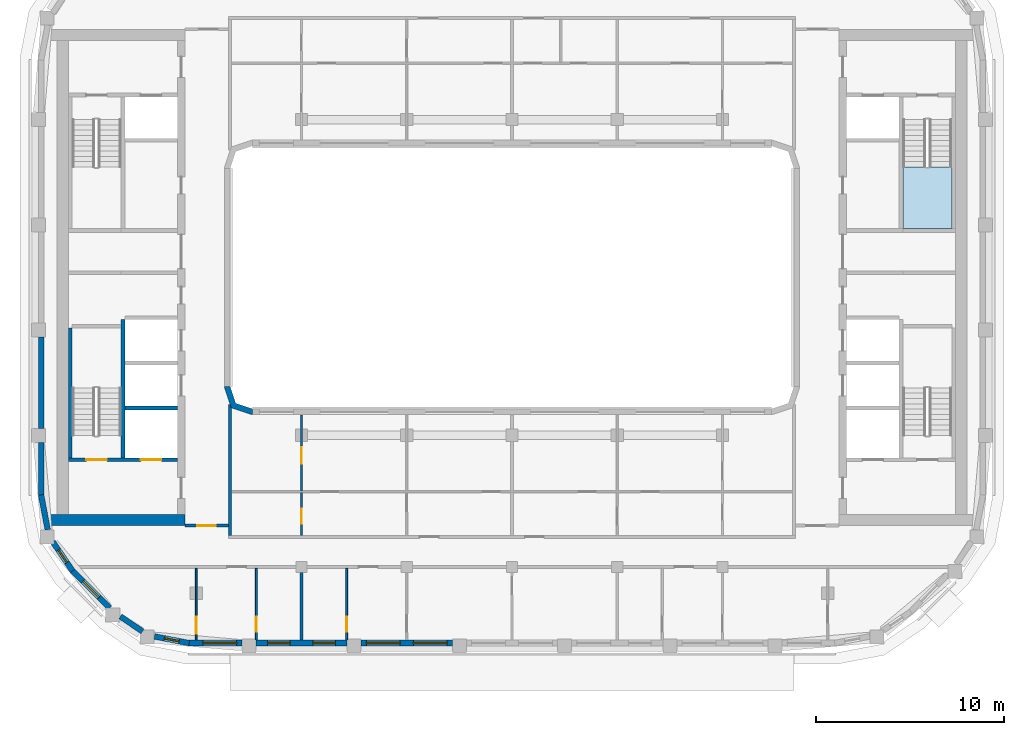
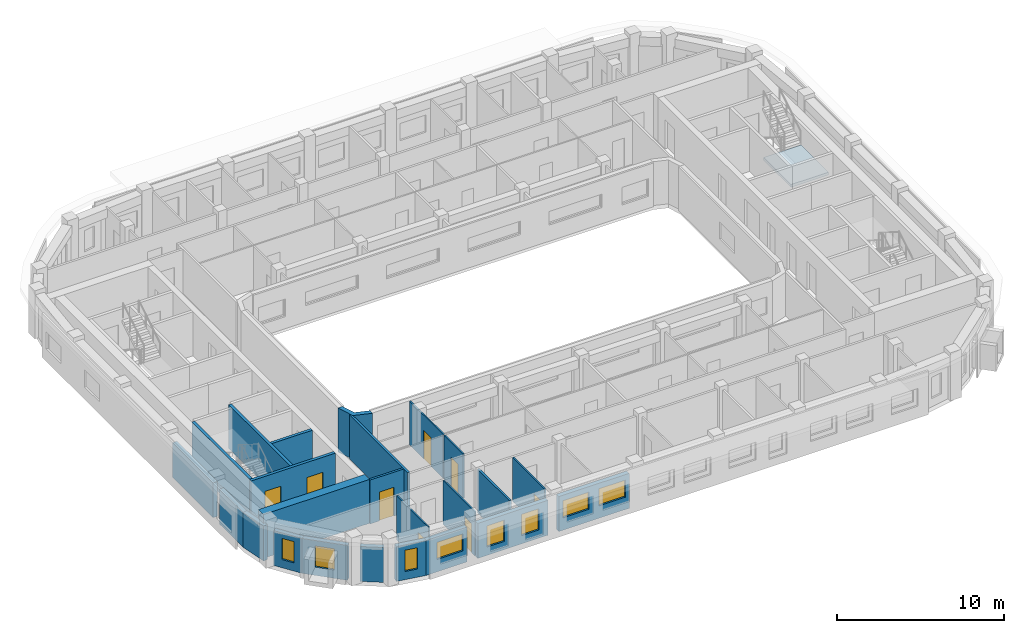
# One storey, part 2 of 16: 24 walls, 8 doors, 8 windows, 1 slab, 16 openings, 1 element without a shape of its own.
"""IFC4 building model written with IfcOpenShell, lengths in metres."""

from ifc_helpers import new_model, si_unit, direction, frame, frame_2d, origin, place, context, subcontext, project, spatial, polyline, rectangle, outline, extrude, material, layer, layer_set, type_object, element, fill, aggregate, save


model = new_model("IFC4")

# Units and contexts
model_context = context("Model", 3, precision=1e-05, world=origin(), true_north=direction((0.0, 1.0)))
body_context = subcontext(model_context, "Body", "Model", "MODEL_VIEW")
ifc_project = project(units=[si_unit("LENGTHUNIT", "METRE"), si_unit("AREAUNIT", "SQUARE_METRE"), si_unit("VOLUMEUNIT", "CUBIC_METRE"), si_unit("PLANEANGLEUNIT", "RADIAN"), si_unit("MASSUNIT", "GRAM", prefix="KILO")], contexts=[model_context])

# Site, building, storey
site_placement = place(None, origin())
site = spatial("IfcSite", under=ifc_project, at=site_placement, CompositionType="ELEMENT")
building_placement = place(site_placement, origin())
building = spatial("IfcBuilding", under=site, at=building_placement, Name="Kiln Ring Residences", CompositionType="ELEMENT")
storey_placement = place(building_placement, frame((0.0, 0.0, 269.699951171875)))
storey = spatial("IfcBuildingStorey", under=building, at=storey_placement, Name="L70", CompositionType="ELEMENT", Elevation=269.699951171875)

# Stair, slab
ifc_material_1 = material(Name="Concrete C40/50", Category="concrete")
stair_type = type_object("IfcStairType", Name="CORE-STAIR", PredefinedType="HALF_TURN_STAIR", material=ifc_material_1)
placement = place(storey_placement, origin())
stair = element("IfcStair", 1, at=placement, inside=storey, type_object=stair_type, Name="L70 stair E-STN", PredefinedType="HALF_TURN_STAIR")
ifc_material_2 = material(Name="Concrete C40/50", Category="concrete")
ifc_layer_1 = layer(ifc_material_2, 0.199951171875)
ifc_layer_set_1 = layer_set([ifc_layer_1], Name="CORE-STAIR-LANDING")
slab_type = type_object("IfcSlabType", Name="CORE-STAIR-LANDING", PredefinedType="LANDING", material=ifc_layer_set_1)
slab_placement = place(storey_placement, frame((0.0, 0.0, 1.550048828125)))
slab = element("IfcSlab", 2, at=slab_placement, type_object=slab_type, Name="E-STN landing 1", PredefinedType="LANDING", context=body_context, shape_type="SweptSolid", body=[
    extrude(outline(polyline([(20.800048828125, 5.8798828125), (20.800048828125, 2.60009765625), (23.39990234375, 2.60009765625), (23.39990234375, 5.8798828125), (20.800048828125, 5.8798828125)])), origin(), (0.0, 0.0, 1.0), 0.199951171875),
])
aggregate(stair, [slab])

# Walls
ifc_material_3 = material(Name="Gypsum shaft wall system")
ifc_layer_2 = layer(ifc_material_3, 0.199951171875)
ifc_layer_set_2 = layer_set([ifc_layer_2], Name="CORE-SHAFT-WALL-200")
wall_type_1 = type_object("IfcWallType", Name="CORE-SHAFT-WALL-200", PredefinedType="PARTITIONING", material=ifc_layer_set_2)
wall_1_placement = place(storey_placement, frame((-17.800048828125, -6.949951171875, 0.0), z_axis=(0.0, 0.0, 1.0), x_axis=(-1.0, 0.0, 0.0)))
element("IfcWall", 3, at=wall_1_placement, inside=storey, type_object=wall_type_1, Name="Core partition west L70 2", PredefinedType="PARTITIONING", context=body_context, shape_type="SweptSolid", body=[
    extrude(rectangle(XDim=2.800048828125, YDim=0.199951171875, at=frame_2d((1.39990234375, 0.0))), origin(), (0.0, 0.0, 1.0), 3.199951171875),
])
ifc_material_4 = material(Name="Concrete C40/50", Category="concrete")
ifc_layer_3 = layer(ifc_material_4, 0.199951171875)
ifc_layer_set_3 = layer_set([ifc_layer_3], Name="CORE-WALL-RC200")
wall_type_2 = type_object("IfcWallType", Name="CORE-WALL-RC200", PredefinedType="SHEAR", material=ifc_layer_set_3)
wall_2_placement = place(storey_placement, frame((-20.699951171875, -9.60009765625, 0.0), z_axis=(0.0, 0.0, 1.0), x_axis=(0.0, 1.0, 0.0)))
element("IfcWall", 4, at=wall_2_placement, inside=storey, type_object=wall_type_2, Name="Core wall west L70 2", PredefinedType="SHEAR", context=body_context, shape_type="SweptSolid", body=[
    extrude(rectangle(XDim=7.35009765625, YDim=0.199951171875, at=frame_2d((3.675048828125, 0.0))), origin(), (0.0, 0.0, 1.0), 3.199951171875),
])

# Wall, openings, doors
wall_3_placement = place(storey_placement, frame((-17.800048828125, -9.699951171875, 0.0), z_axis=(0.0, 0.0, 1.0), x_axis=(-1.0, 0.0, 0.0)))
wall_3 = element("IfcWall", 5, at=wall_3_placement, inside=storey, type_object=wall_type_2, Name="Core wall west L70 8", PredefinedType="SHEAR", context=body_context, shape_type="SweptSolid", body=[
    extrude(rectangle(XDim=5.800048828125, YDim=0.199951171875, at=frame_2d((2.89990234375, 0.0))), origin(), (0.0, 0.0, 1.0), 3.199951171875),
])
opening_1_placement = place(wall_3_placement, frame((0.85009765625, 0.0, 0.0)))
opening_1 = element("IfcOpeningElement", 6, at=opening_1_placement, cuts=wall_3, Name="Opening L70-CW01", PredefinedType="OPENING", context=body_context, shape_type="SweptSolid", body=[
    extrude(rectangle(XDim=1.10009765625, YDim=2.10009765625, at=frame_2d((0.550048828125, 1.050048828125))), frame((0.0, 0.10986328125, 0.0), z_axis=(0.0, -1.0, 0.0), x_axis=(1.0, 0.0, 0.0)), (0.0, 0.0, 1.0), 0.219970703125),
])
opening_2_placement = place(wall_3_placement, frame((3.75, 0.0, 0.0)))
opening_2 = element("IfcOpeningElement", 7, at=opening_2_placement, cuts=wall_3, Name="Opening L70-CW10", PredefinedType="OPENING", context=body_context, shape_type="SweptSolid", body=[
    extrude(rectangle(XDim=1.10009765625, YDim=2.10009765625, at=frame_2d((0.550048828125, 1.050048828125))), frame((0.0, 0.10986328125, 0.0), z_axis=(0.0, -1.0, 0.0), x_axis=(1.0, 0.0, 0.0)), (0.0, 0.0, 1.0), 0.219970703125),
])
ifc_material_5 = material(Name="Steel door leaf", Category="steel")
door_type_1 = type_object("IfcDoorType", Name="CORE-DOOR-LD", OperationType="DOUBLE_DOOR_SLIDING", PredefinedType="DOOR", material=ifc_material_5)
door_1_placement = place(opening_1_placement, origin())
door_1 = element("IfcDoor", 8, at=door_1_placement, inside=storey, type_object=door_type_1, Name="LD W-SV L70-CW01", OperationType="DOUBLE_DOOR_SLIDING", OverallHeight=2.10009765625, OverallWidth=1.10009765625, PredefinedType="DOOR", context=body_context, shape_type="SweptSolid", body=[
    extrude(rectangle(XDim=1.10009765625, YDim=2.10009765625, at=frame_2d((0.550048828125, 1.050048828125))), frame((0.0, 0.02490234375, 0.0), z_axis=(0.0, -1.0, 0.0), x_axis=(1.0, 0.0, 0.0)), (0.0, 0.0, 1.0), 0.050048828125),
])
fill(opening_1, door_1)
ifc_material_6 = material(Name="Steel door leaf", Category="steel")
door_type_2 = type_object("IfcDoorType", Name="CORE-DOOR-STAIR", OperationType="SINGLE_SWING_LEFT", PredefinedType="DOOR", material=ifc_material_6)
door_2_placement = place(opening_2_placement, origin())
door_2 = element("IfcDoor", 9, at=door_2_placement, inside=storey, type_object=door_type_2, Name="Stair W-STS L70-CW10", OperationType="SINGLE_SWING_LEFT", OverallHeight=2.10009765625, OverallWidth=1.10009765625, PredefinedType="DOOR", context=body_context, shape_type="SweptSolid", body=[
    extrude(rectangle(XDim=1.10009765625, YDim=2.10009765625, at=frame_2d((0.550048828125, 1.050048828125))), frame((0.0, 0.02490234375, 0.0), z_axis=(0.0, -1.0, 0.0), x_axis=(1.0, 0.0, 0.0)), (0.0, 0.0, 1.0), 0.050048828125),
])
fill(opening_2, door_2)

# Walls
wall_4_placement = place(storey_placement, frame((-23.5, -9.60009765625, 0.0), z_axis=(0.0, 0.0, 1.0), x_axis=(0.0, 1.0, 0.0)))
element("IfcWall", 10, at=wall_4_placement, inside=storey, type_object=wall_type_2, Name="Core wall west L70 11", PredefinedType="SHEAR", context=body_context, shape_type="SweptSolid", body=[
    extrude(rectangle(XDim=6.900146484375, YDim=0.199951171875, at=frame_2d((3.4501953125, 0.0))), origin(), (0.0, 0.0, 1.0), 3.199951171875),
])
ifc_material_7 = material(Name="Concrete C60/75", Category="concrete")
ifc_layer_4 = layer(ifc_material_7, 0.60009765625)
ifc_layer_set_4 = layer_set([ifc_layer_4], Name="CORE-WALL-RC600")
wall_type_3 = type_object("IfcWallType", Name="CORE-WALL-RC600", PredefinedType="SHEAR", material=ifc_layer_set_4)
wall_5_placement = place(storey_placement, frame((-17.39990234375, -12.89990234375, 0.0), z_axis=(0.0, 0.0, 1.0), x_axis=(-1.0, 0.0, 0.0)))
element("IfcWall", 11, at=wall_5_placement, inside=storey, type_object=wall_type_3, Name="Core wall west L70 5", PredefinedType="SHEAR", context=body_context, shape_type="SweptSolid", body=[
    extrude(rectangle(XDim=7.320068359375, YDim=0.60009765625, at=frame_2d((3.66015625, 0.0))), origin(), (0.0, 0.0, 1.0), 3.199951171875),
])

# Wall, opening, window
ifc_material_8 = material(Name="Brick masonry, dark clay brick", Category="masonry")
ifc_layer_5 = layer(ifc_material_8, 0.300048828125)
ifc_layer_set_5 = layer_set([ifc_layer_5], Name="EW-300 BRICK WALL")
wall_type_4 = type_object("IfcWallType", Name="EW-300 BRICK WALL", PredefinedType="SOLIDWALL", material=ifc_layer_set_5)
wall_6_placement = place(storey_placement, frame((-23.39697265625, -15.591064453125, 0.0), z_axis=(0.0, 0.0, 1.0), x_axis=(0.707106781187, -0.707106781187, 0.0)))
wall_6 = element("IfcWall", 12, at=wall_6_placement, inside=storey, type_object=wall_type_4, Name="Facade wall L70 1", PredefinedType="SOLIDWALL", context=body_context, shape_type="SweptSolid", body=[
    extrude(rectangle(XDim=2.824951171875, YDim=0.300048828125, at=frame_2d((1.41259765625, 0.0))), origin(), (0.0, 0.0, 1.0), 2.550048828125),
])
opening_3_placement = place(wall_6_placement, frame((0.8125, 0.0, 0.60009765625)))
opening_3 = element("IfcOpeningElement", 13, at=opening_3_placement, cuts=wall_6, Name="Opening W1", PredefinedType="OPENING", context=body_context, shape_type="SweptSolid", body=[
    extrude(rectangle(XDim=1.199951171875, YDim=1.550048828125, at=frame_2d((0.60009765625, 0.77490234375))), frame((0.0, 0.159912109375, 0.0), z_axis=(0.0, -1.0, 0.0), x_axis=(1.0, 0.0, 0.0)), (0.0, 0.0, 1.0), 0.320068359375),
])
ifc_material_9 = material(Name="Aluminium frame with double glazing", Category="aluminium")
window_type_1 = type_object("IfcWindowType", Name="WINDOW 1200 x 1550", PartitioningType="SINGLE_PANEL", PredefinedType="WINDOW", material=ifc_material_9)
window_1_placement = place(opening_3_placement, origin())
window_1 = element("IfcWindow", 14, at=window_1_placement, inside=storey, type_object=window_type_1, Name="Window L70 1", OverallHeight=1.550048828125, OverallWidth=1.199951171875, PartitioningType="SINGLE_PANEL", PredefinedType="WINDOW", context=body_context, shape_type="SweptSolid", body=[
    extrude(rectangle(XDim=1.199951171875, YDim=1.550048828125, at=frame_2d((0.60009765625, 0.77490234375))), frame((0.0, 0.030029296875, 0.0), z_axis=(0.0, -1.0, 0.0), x_axis=(1.0, 0.0, 0.0)), (0.0, 0.0, 1.0), 0.06005859375),
])
fill(opening_3, window_1)

# Wall
wall_7_placement = place(storey_placement, frame((-20.837158203125, -18.0341796875, 0.0), z_axis=(0.0, 0.0, 1.0), x_axis=(0.827095130818, -0.562061957952, 0.0)))
element("IfcWall", 15, at=wall_7_placement, inside=storey, type_object=wall_type_4, Name="Facade wall L70 2", PredefinedType="SOLIDWALL", context=body_context, shape_type="SweptSolid", body=[
    extrude(rectangle(XDim=1.427001953125, YDim=0.300048828125, at=frame_2d((0.71337890625, 0.0))), origin(), (0.0, 0.0, 1.0), 2.550048828125),
])

# Wall, opening, window
wall_8_placement = place(storey_placement, frame((-19.019775390625, -19.10009765625, 0.0), z_axis=(0.0, 0.0, 1.0), x_axis=(0.982284001233, -0.187398348234, 0.0)))
wall_8 = element("IfcWall", 16, at=wall_8_placement, inside=storey, type_object=wall_type_4, Name="Facade wall L70 3", PredefinedType="SOLIDWALL", context=body_context, shape_type="SweptSolid", body=[
    extrude(rectangle(XDim=1.88134765625, YDim=0.300048828125, at=frame_2d((0.940673828125, 0.0))), origin(), (0.0, 0.0, 1.0), 2.550048828125),
])
opening_4_placement = place(wall_8_placement, frame((0.54052734375, 0.0, 0.60009765625)))
opening_4 = element("IfcOpeningElement", 17, at=opening_4_placement, cuts=wall_8, Name="Opening W5", PredefinedType="OPENING", context=body_context, shape_type="SweptSolid", body=[
    extrude(rectangle(XDim=0.800048828125, YDim=1.550048828125, at=frame_2d((0.39990234375, 0.77490234375))), frame((0.0, 0.159912109375, 0.0), z_axis=(0.0, -1.0, 0.0), x_axis=(1.0, 0.0, 0.0)), (0.0, 0.0, 1.0), 0.320068359375),
])
ifc_material_10 = material(Name="Aluminium frame with double glazing", Category="aluminium")
window_type_2 = type_object("IfcWindowType", Name="WINDOW 800 x 1550", PartitioningType="SINGLE_PANEL", PredefinedType="WINDOW", material=ifc_material_10)
window_2_placement = place(opening_4_placement, origin())
window_2 = element("IfcWindow", 18, at=window_2_placement, inside=storey, type_object=window_type_2, Name="Window L70 2", OverallHeight=1.550048828125, OverallWidth=0.800048828125, PartitioningType="SINGLE_PANEL", PredefinedType="WINDOW", context=body_context, shape_type="SweptSolid", body=[
    extrude(rectangle(XDim=0.800048828125, YDim=1.550048828125, at=frame_2d((0.39990234375, 0.77490234375))), frame((0.0, 0.030029296875, 0.0), z_axis=(0.0, -1.0, 0.0), x_axis=(1.0, 0.0, 0.0)), (0.0, 0.0, 1.0), 0.06005859375),
])
fill(opening_4, window_2)

wall_9_placement = place(storey_placement, frame((-17.199951171875, -19.449951171875, 0.0), z_axis=(0.0, 0.0, 1.0), x_axis=(1.0, 0.0, 0.0)))
wall_9 = element("IfcWall", 19, at=wall_9_placement, inside=storey, type_object=wall_type_4, Name="Facade wall L70 4", PredefinedType="SOLIDWALL", context=body_context, shape_type="SweptSolid", body=[
    extrude(rectangle(XDim=2.824951171875, YDim=0.300048828125, at=frame_2d((1.41259765625, 0.0))), origin(), (0.0, 0.0, 1.0), 2.550048828125),
])
opening_5_placement = place(wall_9_placement, frame((0.75, 0.0, 0.89990234375)))
opening_5 = element("IfcOpeningElement", 20, at=opening_5_placement, cuts=wall_9, Name="Opening W2", PredefinedType="OPENING", context=body_context, shape_type="SweptSolid", body=[
    extrude(rectangle(XDim=1.800048828125, YDim=1.25, at=frame_2d((0.89990234375, 0.625))), frame((0.0, 0.159912109375, 0.0), z_axis=(0.0, -1.0, 0.0), x_axis=(1.0, 0.0, 0.0)), (0.0, 0.0, 1.0), 0.320068359375),
])
ifc_material_11 = material(Name="Aluminium frame with double glazing", Category="aluminium")
window_type_3 = type_object("IfcWindowType", Name="WINDOW 1800 x 1250", PartitioningType="SINGLE_PANEL", PredefinedType="WINDOW", material=ifc_material_11)
window_3_placement = place(opening_5_placement, origin())
window_3 = element("IfcWindow", 21, at=window_3_placement, inside=storey, type_object=window_type_3, Name="Window L70 3", OverallHeight=1.25, OverallWidth=1.800048828125, PartitioningType="SINGLE_PANEL", PredefinedType="WINDOW", context=body_context, shape_type="SweptSolid", body=[
    extrude(rectangle(XDim=1.800048828125, YDim=1.25, at=frame_2d((0.89990234375, 0.625))), frame((0.0, 0.030029296875, 0.0), z_axis=(0.0, -1.0, 0.0), x_axis=(1.0, 0.0, 0.0)), (0.0, 0.0, 1.0), 0.06005859375),
])
fill(opening_5, window_3)

# Wall, openings, windows
wall_10_placement = place(storey_placement, frame((-13.625, -19.449951171875, 0.0), z_axis=(0.0, 0.0, 1.0), x_axis=(1.0, 0.0, 0.0)))
wall_10 = element("IfcWall", 22, at=wall_10_placement, inside=storey, type_object=wall_type_4, Name="Facade wall L70 5", PredefinedType="SOLIDWALL", context=body_context, shape_type="SweptSolid", body=[
    extrude(rectangle(XDim=4.85009765625, YDim=0.300048828125, at=frame_2d((2.425048828125, 0.0))), origin(), (0.0, 0.0, 1.0), 2.550048828125),
])
opening_6_placement = place(wall_10_placement, frame((0.625, 0.0, 0.60009765625)))
opening_6 = element("IfcOpeningElement", 23, at=opening_6_placement, cuts=wall_10, Name="Opening W1", PredefinedType="OPENING", context=body_context, shape_type="SweptSolid", body=[
    extrude(rectangle(XDim=1.199951171875, YDim=1.550048828125, at=frame_2d((0.60009765625, 0.77490234375))), frame((0.0, 0.159912109375, 0.0), z_axis=(0.0, -1.0, 0.0), x_axis=(1.0, 0.0, 0.0)), (0.0, 0.0, 1.0), 0.320068359375),
])
opening_7_placement = place(wall_10_placement, frame((3.02490234375, 0.0, 0.60009765625)))
opening_7 = element("IfcOpeningElement", 24, at=opening_7_placement, cuts=wall_10, Name="Opening W1", PredefinedType="OPENING", context=body_context, shape_type="SweptSolid", body=[
    extrude(rectangle(XDim=1.199951171875, YDim=1.550048828125, at=frame_2d((0.60009765625, 0.77490234375))), frame((0.0, 0.159912109375, 0.0), z_axis=(0.0, -1.0, 0.0), x_axis=(1.0, 0.0, 0.0)), (0.0, 0.0, 1.0), 0.320068359375),
])
window_4_placement = place(opening_6_placement, origin())
window_4 = element("IfcWindow", 25, at=window_4_placement, inside=storey, type_object=window_type_1, Name="Window L70 4", OverallHeight=1.550048828125, OverallWidth=1.199951171875, PartitioningType="SINGLE_PANEL", PredefinedType="WINDOW", context=body_context, shape_type="SweptSolid", body=[
    extrude(rectangle(XDim=1.199951171875, YDim=1.550048828125, at=frame_2d((0.60009765625, 0.77490234375))), frame((0.0, 0.030029296875, 0.0), z_axis=(0.0, -1.0, 0.0), x_axis=(1.0, 0.0, 0.0)), (0.0, 0.0, 1.0), 0.06005859375),
])
fill(opening_6, window_4)
window_5_placement = place(opening_7_placement, origin())
window_5 = element("IfcWindow", 26, at=window_5_placement, inside=storey, type_object=window_type_1, Name="Window L70 5", OverallHeight=1.550048828125, OverallWidth=1.199951171875, PartitioningType="SINGLE_PANEL", PredefinedType="WINDOW", context=body_context, shape_type="SweptSolid", body=[
    extrude(rectangle(XDim=1.199951171875, YDim=1.550048828125, at=frame_2d((0.60009765625, 0.77490234375))), frame((0.0, 0.030029296875, 0.0), z_axis=(0.0, -1.0, 0.0), x_axis=(1.0, 0.0, 0.0)), (0.0, 0.0, 1.0), 0.06005859375),
])
fill(opening_7, window_5)

wall_11_placement = place(storey_placement, frame((-8.02490234375, -19.449951171875, 0.0), z_axis=(0.0, 0.0, 1.0), x_axis=(1.0, 0.0, 0.0)))
wall_11 = element("IfcWall", 27, at=wall_11_placement, inside=storey, type_object=wall_type_4, Name="Facade wall L70 6", PredefinedType="SOLIDWALL", context=body_context, shape_type="SweptSolid", body=[
    extrude(rectangle(XDim=4.849853515625, YDim=0.300048828125, at=frame_2d((2.4248046875, 0.0))), origin(), (0.0, 0.0, 1.0), 2.550048828125),
])
opening_8_placement = place(wall_11_placement, frame((0.27490234375, 0.0, 0.89990234375)))
opening_8 = element("IfcOpeningElement", 28, at=opening_8_placement, cuts=wall_11, Name="Opening W2", PredefinedType="OPENING", context=body_context, shape_type="SweptSolid", body=[
    extrude(rectangle(XDim=1.800048828125, YDim=1.25, at=frame_2d((0.89990234375, 0.625))), frame((0.0, 0.159912109375, 0.0), z_axis=(0.0, -1.0, 0.0), x_axis=(1.0, 0.0, 0.0)), (0.0, 0.0, 1.0), 0.320068359375),
])
opening_9_placement = place(wall_11_placement, frame((2.77490234375, 0.0, 0.89990234375)))
opening_9 = element("IfcOpeningElement", 29, at=opening_9_placement, cuts=wall_11, Name="Opening W2", PredefinedType="OPENING", context=body_context, shape_type="SweptSolid", body=[
    extrude(rectangle(XDim=1.800048828125, YDim=1.25, at=frame_2d((0.89990234375, 0.625))), frame((0.0, 0.159912109375, 0.0), z_axis=(0.0, -1.0, 0.0), x_axis=(1.0, 0.0, 0.0)), (0.0, 0.0, 1.0), 0.320068359375),
])
window_6_placement = place(opening_8_placement, origin())
window_6 = element("IfcWindow", 30, at=window_6_placement, inside=storey, type_object=window_type_3, Name="Window L70 6", OverallHeight=1.25, OverallWidth=1.800048828125, PartitioningType="SINGLE_PANEL", PredefinedType="WINDOW", context=body_context, shape_type="SweptSolid", body=[
    extrude(rectangle(XDim=1.800048828125, YDim=1.25, at=frame_2d((0.89990234375, 0.625))), frame((0.0, 0.030029296875, 0.0), z_axis=(0.0, -1.0, 0.0), x_axis=(1.0, 0.0, 0.0)), (0.0, 0.0, 1.0), 0.06005859375),
])
fill(opening_8, window_6)
window_7_placement = place(opening_9_placement, origin())
window_7 = element("IfcWindow", 31, at=window_7_placement, inside=storey, type_object=window_type_3, Name="Window L70 7", OverallHeight=1.25, OverallWidth=1.800048828125, PartitioningType="SINGLE_PANEL", PredefinedType="WINDOW", context=body_context, shape_type="SweptSolid", body=[
    extrude(rectangle(XDim=1.800048828125, YDim=1.25, at=frame_2d((0.89990234375, 0.625))), frame((0.0, 0.030029296875, 0.0), z_axis=(0.0, -1.0, 0.0), x_axis=(1.0, 0.0, 0.0)), (0.0, 0.0, 1.0), 0.06005859375),
])
fill(opening_9, window_7)

# Walls
wall_12_placement = place(storey_placement, frame((-25.050048828125, -3.175048828125, 0.0), z_axis=(0.0, 0.0, 1.0), x_axis=(0.0, -1.0, 0.0)))
element("IfcWall", 32, at=wall_12_placement, inside=storey, type_object=wall_type_4, Name="Facade wall L70 41", PredefinedType="SOLIDWALL", context=body_context, shape_type="SweptSolid", body=[
    extrude(rectangle(XDim=4.849853515625, YDim=0.300048828125, at=frame_2d((2.4248046875, 0.0))), origin(), (0.0, 0.0, 1.0), 2.550048828125),
])
wall_13_placement = place(storey_placement, frame((-25.050048828125, -8.77490234375, 0.0), z_axis=(0.0, 0.0, 1.0), x_axis=(0.0, -1.0, 0.0)))
element("IfcWall", 33, at=wall_13_placement, inside=storey, type_object=wall_type_4, Name="Facade wall L70 42", PredefinedType="SOLIDWALL", context=body_context, shape_type="SweptSolid", body=[
    extrude(rectangle(XDim=2.8251953125, YDim=0.300048828125, at=frame_2d((1.41259765625, 0.0))), origin(), (0.0, 0.0, 1.0), 2.550048828125),
])
wall_14_placement = place(storey_placement, frame((-25.052734375, -11.57177734375, 0.0), z_axis=(0.0, 0.0, 1.0), x_axis=(0.187398348234, -0.982284001233, 0.0)))
element("IfcWall", 34, at=wall_14_placement, inside=storey, type_object=wall_type_4, Name="Facade wall L70 43", PredefinedType="SOLIDWALL", context=body_context, shape_type="SweptSolid", body=[
    extrude(rectangle(XDim=1.88134765625, YDim=0.300048828125, at=frame_2d((0.940673828125, 0.0))), origin(), (0.0, 0.0, 1.0), 2.550048828125),
])

# Wall, opening, window
wall_15_placement = place(storey_placement, frame((-24.436279296875, -14.056884765625, 0.0), z_axis=(0.0, 0.0, 1.0), x_axis=(0.562075713892, -0.827085782645, 0.0)))
wall_15 = element("IfcWall", 35, at=wall_15_placement, inside=storey, type_object=wall_type_4, Name="Facade wall L70 44", PredefinedType="SOLIDWALL", context=body_context, shape_type="SweptSolid", body=[
    extrude(rectangle(XDim=1.881103515625, YDim=0.300048828125, at=frame_2d((0.9404296875, 0.0))), origin(), (0.0, 0.0, 1.0), 2.550048828125),
])
opening_10_placement = place(wall_15_placement, frame((0.54052734375, 0.0, 0.60009765625)))
opening_10 = element("IfcOpeningElement", 36, at=opening_10_placement, cuts=wall_15, Name="Opening W5", PredefinedType="OPENING", context=body_context, shape_type="SweptSolid", body=[
    extrude(rectangle(XDim=0.800048828125, YDim=1.550048828125, at=frame_2d((0.39990234375, 0.77490234375))), frame((0.0, 0.159912109375, 0.0), z_axis=(0.0, -1.0, 0.0), x_axis=(1.0, 0.0, 0.0)), (0.0, 0.0, 1.0), 0.320068359375),
])
window_8_placement = place(opening_10_placement, origin())
window_8 = element("IfcWindow", 37, at=window_8_placement, inside=storey, type_object=window_type_2, Name="Window L70 36", OverallHeight=1.550048828125, OverallWidth=0.800048828125, PartitioningType="SINGLE_PANEL", PredefinedType="WINDOW", context=body_context, shape_type="SweptSolid", body=[
    extrude(rectangle(XDim=0.800048828125, YDim=1.550048828125, at=frame_2d((0.39990234375, 0.77490234375))), frame((0.0, 0.030029296875, 0.0), z_axis=(0.0, -1.0, 0.0), x_axis=(1.0, 0.0, 0.0)), (0.0, 0.0, 1.0), 0.06005859375),
])
fill(opening_10, window_8)

# Wall
element("IfcWall", 38, at=placement, inside=storey, type_object=wall_type_4, Name="Corner wall L70 4", PredefinedType="SOLIDWALL", context=body_context, shape_type="SweptSolid", body=[
    extrude(outline(polyline([(-14.937255859375, -6.937255859375), (-13.8486328125, -7.300048828125), (-13.800048828125, -7.300048828125), (-13.800048828125, -7.0), (-14.699951171875, -6.699951171875), (-15.0, -5.800048828125), (-15.300048828125, -5.800048828125), (-15.300048828125, -5.8486328125), (-14.937255859375, -6.937255859375)])), origin(), (0.0, 0.0, 1.0), 3.199951171875),
])

# Wall, opening, door
ifc_material_12 = material(Name="Gypsum board on steel studs", Category="steel")
ifc_layer_6 = layer(ifc_material_12, 0.10009765625)
ifc_layer_set_6 = layer_set([ifc_layer_6], Name="PARTITION-100")
wall_type_5 = type_object("IfcWallType", Name="PARTITION-100", PredefinedType="PARTITIONING", material=ifc_layer_set_6)
wall_17_placement = place(storey_placement, frame((-16.800048828125, -19.280029296875, 0.0), z_axis=(0.0, 0.0, 1.0), x_axis=(0.0, 1.0, 0.0)))
wall_17 = element("IfcWall", 39, at=wall_17_placement, inside=storey, type_object=wall_type_5, Name="Partition 010", PredefinedType="PARTITIONING", context=body_context, shape_type="SweptSolid", body=[
    extrude(rectangle(XDim=3.804931640625, YDim=0.10009765625, at=frame_2d((1.90234375, 0.0))), origin(), (0.0, 0.0, 1.0), 3.199951171875),
])
opening_11_placement = place(wall_17_placement, frame((0.3291015625, 0.0, 0.0)))
opening_11 = element("IfcOpeningElement", 40, at=opening_11_placement, cuts=wall_17, Name="Opening L70-D044", PredefinedType="OPENING", context=body_context, shape_type="SweptSolid", body=[
    extrude(rectangle(XDim=0.89990234375, YDim=2.10009765625, at=frame_2d((0.449951171875, 1.050048828125))), frame((0.0, 0.06005859375, 0.0), z_axis=(0.0, -1.0, 0.0), x_axis=(1.0, 0.0, 0.0)), (0.0, 0.0, 1.0), 0.1201171875),
])
ifc_material_13 = material(Name="Timber door leaf", Category="wood")
door_type_3 = type_object("IfcDoorType", Name="FLAT-DOOR-900-PL", OperationType="SINGLE_SWING_LEFT", PredefinedType="DOOR", material=ifc_material_13)
door_3_placement = place(opening_11_placement, origin())
door_3 = element("IfcDoor", 41, at=door_3_placement, inside=storey, type_object=door_type_3, Name="Door L70-D044", OperationType="SINGLE_SWING_RIGHT", OverallHeight=2.10009765625, OverallWidth=0.89990234375, PredefinedType="DOOR", context=body_context, shape_type="SweptSolid", body=[
    extrude(rectangle(XDim=0.89990234375, YDim=2.10009765625, at=frame_2d((0.449951171875, 1.050048828125))), frame((0.0, 0.02490234375, 0.0), z_axis=(0.0, -1.0, 0.0), x_axis=(1.0, 0.0, 0.0)), (0.0, 0.0, 1.0), 0.050048828125),
])
fill(opening_11, door_3)

wall_18_placement = place(storey_placement, frame((-13.60009765625, -19.280029296875, 0.0), z_axis=(0.0, 0.0, 1.0), x_axis=(0.0, 1.0, 0.0)))
wall_18 = element("IfcWall", 42, at=wall_18_placement, inside=storey, type_object=wall_type_5, Name="Partition 014", PredefinedType="PARTITIONING", context=body_context, shape_type="SweptSolid", body=[
    extrude(rectangle(XDim=3.804931640625, YDim=0.10009765625, at=frame_2d((1.90234375, 0.0))), origin(), (0.0, 0.0, 1.0), 3.199951171875),
])
opening_12_placement = place(wall_18_placement, frame((0.419921875, 0.0, 0.0)))
opening_12 = element("IfcOpeningElement", 43, at=opening_12_placement, cuts=wall_18, Name="Opening L70-D043", PredefinedType="OPENING", context=body_context, shape_type="SweptSolid", body=[
    extrude(rectangle(XDim=0.800048828125, YDim=2.10009765625, at=frame_2d((0.39990234375, 1.050048828125))), frame((0.0, 0.06005859375, 0.0), z_axis=(0.0, -1.0, 0.0), x_axis=(1.0, 0.0, 0.0)), (0.0, 0.0, 1.0), 0.1201171875),
])
ifc_material_14 = material(Name="Timber door leaf", Category="wood")
door_type_4 = type_object("IfcDoorType", Name="FLAT-DOOR-800-PL", OperationType="SINGLE_SWING_LEFT", PredefinedType="DOOR", material=ifc_material_14)
door_4_placement = place(opening_12_placement, origin())
door_4 = element("IfcDoor", 44, at=door_4_placement, inside=storey, type_object=door_type_4, Name="Door L70-D043", OperationType="SINGLE_SWING_LEFT", OverallHeight=2.10009765625, OverallWidth=0.800048828125, PredefinedType="DOOR", context=body_context, shape_type="SweptSolid", body=[
    extrude(rectangle(XDim=0.800048828125, YDim=2.10009765625, at=frame_2d((0.39990234375, 1.050048828125))), frame((0.0, 0.02490234375, 0.0), z_axis=(0.0, -1.0, 0.0), x_axis=(1.0, 0.0, 0.0)), (0.0, 0.0, 1.0), 0.050048828125),
])
fill(opening_12, door_4)

wall_19_placement = place(storey_placement, frame((-11.199951171875, -13.72509765625, 0.0), z_axis=(0.0, 0.0, 1.0), x_axis=(0.0, 1.0, 0.0)))
wall_19 = element("IfcWall", 45, at=wall_19_placement, inside=storey, type_object=wall_type_5, Name="Partition 016", PredefinedType="PARTITIONING", context=body_context, shape_type="SweptSolid", body=[
    extrude(rectangle(XDim=2.275146484375, YDim=0.10009765625, at=frame_2d((1.1376953125, 0.0))), origin(), (0.0, 0.0, 1.0), 3.199951171875),
])
opening_13_placement = place(wall_19_placement, frame((0.625, 0.0, 0.0)))
opening_13 = element("IfcOpeningElement", 46, at=opening_13_placement, cuts=wall_19, Name="Opening L70-D032", PredefinedType="OPENING", context=body_context, shape_type="SweptSolid", body=[
    extrude(rectangle(XDim=0.800048828125, YDim=2.10009765625, at=frame_2d((0.39990234375, 1.050048828125))), frame((0.0, 0.06005859375, 0.0), z_axis=(0.0, -1.0, 0.0), x_axis=(1.0, 0.0, 0.0)), (0.0, 0.0, 1.0), 0.1201171875),
])
door_5_placement = place(opening_13_placement, origin())
door_5 = element("IfcDoor", 47, at=door_5_placement, inside=storey, type_object=door_type_4, Name="Door L70-D032", OperationType="SINGLE_SWING_RIGHT", OverallHeight=2.10009765625, OverallWidth=0.800048828125, PredefinedType="DOOR", context=body_context, shape_type="SweptSolid", body=[
    extrude(rectangle(XDim=0.800048828125, YDim=2.10009765625, at=frame_2d((0.39990234375, 1.050048828125))), frame((0.0, 0.02490234375, 0.0), z_axis=(0.0, -1.0, 0.0), x_axis=(1.0, 0.0, 0.0)), (0.0, 0.0, 1.0), 0.050048828125),
])
fill(opening_13, door_5)

wall_20_placement = place(storey_placement, frame((-11.199951171875, -11.35009765625, 0.0), z_axis=(0.0, 0.0, 1.0), x_axis=(0.0, 1.0, 0.0)))
wall_20 = element("IfcWall", 48, at=wall_20_placement, inside=storey, type_object=wall_type_5, Name="Partition 017", PredefinedType="PARTITIONING", context=body_context, shape_type="SweptSolid", body=[
    extrude(rectangle(XDim=4.030029296875, YDim=0.10009765625, at=frame_2d((2.01513671875, 0.0))), origin(), (0.0, 0.0, 1.0), 3.199951171875),
])
opening_14_placement = place(wall_20_placement, frame((1.429931640625, 0.0, 0.0)))
opening_14 = element("IfcOpeningElement", 49, at=opening_14_placement, cuts=wall_20, Name="Opening L70-D035", PredefinedType="OPENING", context=body_context, shape_type="SweptSolid", body=[
    extrude(rectangle(XDim=0.89990234375, YDim=2.10009765625, at=frame_2d((0.449951171875, 1.050048828125))), frame((0.0, 0.06005859375, 0.0), z_axis=(0.0, -1.0, 0.0), x_axis=(1.0, 0.0, 0.0)), (0.0, 0.0, 1.0), 0.1201171875),
])
door_6_placement = place(opening_14_placement, origin())
door_6 = element("IfcDoor", 50, at=door_6_placement, inside=storey, type_object=door_type_3, Name="Door L70-D035", OperationType="SINGLE_SWING_RIGHT", OverallHeight=2.10009765625, OverallWidth=0.89990234375, PredefinedType="DOOR", context=body_context, shape_type="SweptSolid", body=[
    extrude(rectangle(XDim=0.89990234375, YDim=2.10009765625, at=frame_2d((0.449951171875, 1.050048828125))), frame((0.0, 0.02490234375, 0.0), z_axis=(0.0, -1.0, 0.0), x_axis=(1.0, 0.0, 0.0)), (0.0, 0.0, 1.0), 0.050048828125),
])
fill(opening_14, door_6)

wall_21_placement = place(storey_placement, frame((-8.800048828125, -19.280029296875, 0.0), z_axis=(0.0, 0.0, 1.0), x_axis=(0.0, 1.0, 0.0)))
wall_21 = element("IfcWall", 51, at=wall_21_placement, inside=storey, type_object=wall_type_5, Name="Partition 022", PredefinedType="PARTITIONING", context=body_context, shape_type="SweptSolid", body=[
    extrude(rectangle(XDim=3.804931640625, YDim=0.10009765625, at=frame_2d((1.90234375, 0.0))), origin(), (0.0, 0.0, 1.0), 3.199951171875),
])
opening_15_placement = place(wall_21_placement, frame((0.428955078125, 0.0, 0.0)))
opening_15 = element("IfcOpeningElement", 52, at=opening_15_placement, cuts=wall_21, Name="Opening L70-D046", PredefinedType="OPENING", context=body_context, shape_type="SweptSolid", body=[
    extrude(rectangle(XDim=0.800048828125, YDim=2.10009765625, at=frame_2d((0.39990234375, 1.050048828125))), frame((0.0, 0.06005859375, 0.0), z_axis=(0.0, -1.0, 0.0), x_axis=(1.0, 0.0, 0.0)), (0.0, 0.0, 1.0), 0.1201171875),
])
door_7_placement = place(opening_15_placement, origin())
door_7 = element("IfcDoor", 53, at=door_7_placement, inside=storey, type_object=door_type_4, Name="Door L70-D046", OperationType="SINGLE_SWING_RIGHT", OverallHeight=2.10009765625, OverallWidth=0.800048828125, PredefinedType="DOOR", context=body_context, shape_type="SweptSolid", body=[
    extrude(rectangle(XDim=0.800048828125, YDim=2.10009765625, at=frame_2d((0.39990234375, 1.050048828125))), frame((0.0, 0.02490234375, 0.0), z_axis=(0.0, -1.0, 0.0), x_axis=(1.0, 0.0, 0.0)), (0.0, 0.0, 1.0), 0.050048828125),
])
fill(opening_15, door_7)

ifc_material_15 = material(Name="Brick masonry partition", Category="masonry")
ifc_layer_7 = layer(ifc_material_15, 0.14990234375)
ifc_layer_set_7 = layer_set([ifc_layer_7], Name="PARTITION-150-ei60")
wall_type_6 = type_object("IfcWallType", Name="PARTITION-150-ei60", PredefinedType="PARTITIONING", material=ifc_layer_set_7)
wall_22_placement = place(storey_placement, frame((-17.39990234375, -13.199951171875, 0.0), z_axis=(0.0, 0.0, 1.0), x_axis=(1.0, 0.0, 0.0)))
wall_22 = element("IfcWall", 54, at=wall_22_placement, inside=storey, type_object=wall_type_6, Name="Partition 002", PredefinedType="PARTITIONING", context=body_context, shape_type="SweptSolid", body=[
    extrude(rectangle(XDim=2.324951171875, YDim=0.14990234375, at=frame_2d((1.16259765625, 0.0))), origin(), (0.0, 0.0, 1.0), 3.199951171875),
])
opening_16_placement = place(wall_22_placement, frame((0.64990234375, 0.0, 0.0)))
opening_16 = element("IfcOpeningElement", 55, at=opening_16_placement, cuts=wall_22, Name="Opening L70-D003", PredefinedType="OPENING", context=body_context, shape_type="SweptSolid", body=[
    extrude(rectangle(XDim=1.0, YDim=2.10009765625, at=frame_2d((0.5, 1.050048828125))), frame((0.0, 0.0849609375, 0.0), z_axis=(0.0, -1.0, 0.0), x_axis=(1.0, 0.0, 0.0)), (0.0, 0.0, 1.0), 0.169921875),
])
ifc_material_16 = material(Name="Steel faced fire door leaf", Category="steel")
door_type_5 = type_object("IfcDoorType", Name="FLAT-DOOR-1000-FR", OperationType="SINGLE_SWING_LEFT", PredefinedType="DOOR", material=ifc_material_16)
door_8_placement = place(opening_16_placement, origin())
door_8 = element("IfcDoor", 56, at=door_8_placement, inside=storey, type_object=door_type_5, Name="Door L70-D003", OperationType="SINGLE_SWING_RIGHT", OverallHeight=2.10009765625, OverallWidth=1.0, PredefinedType="DOOR", context=body_context, shape_type="SweptSolid", body=[
    extrude(rectangle(XDim=1.0, YDim=2.10009765625, at=frame_2d((0.5, 1.050048828125))), frame((0.0, 0.02490234375, 0.0), z_axis=(0.0, -1.0, 0.0), x_axis=(1.0, 0.0, 0.0)), (0.0, 0.0, 1.0), 0.050048828125),
])
fill(opening_16, door_8)

# Walls
wall_23_placement = place(storey_placement, frame((-15.0, -13.72509765625, 0.0), z_axis=(0.0, 0.0, 1.0), x_axis=(0.0, 1.0, 0.0)))
element("IfcWall", 57, at=wall_23_placement, inside=storey, type_object=wall_type_6, Name="Partition 012", PredefinedType="PARTITIONING", context=body_context, shape_type="SweptSolid", body=[
    extrude(rectangle(XDim=6.956298828125, YDim=0.14990234375, at=frame_2d((3.47802734375, 0.0))), origin(), (0.0, 0.0, 1.0), 3.199951171875),
])
wall_24_placement = place(storey_placement, frame((-11.199951171875, -19.280029296875, 0.0), z_axis=(0.0, 0.0, 1.0), x_axis=(0.0, 1.0, 0.0)))
element("IfcWall", 58, at=wall_24_placement, inside=storey, type_object=wall_type_6, Name="Partition 020", PredefinedType="PARTITIONING", context=body_context, shape_type="SweptSolid", body=[
    extrude(rectangle(XDim=3.804931640625, YDim=0.14990234375, at=frame_2d((1.90234375, 0.0))), origin(), (0.0, 0.0, 1.0), 3.199951171875),
])

save(model, "model.ifc")
